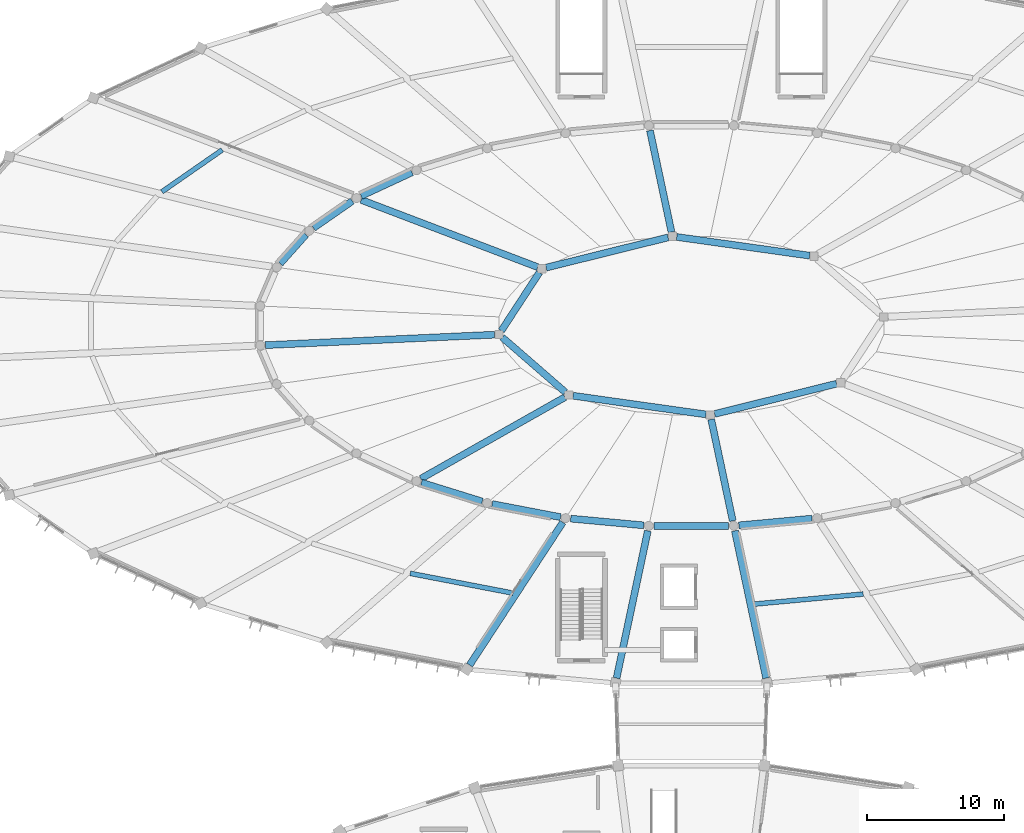
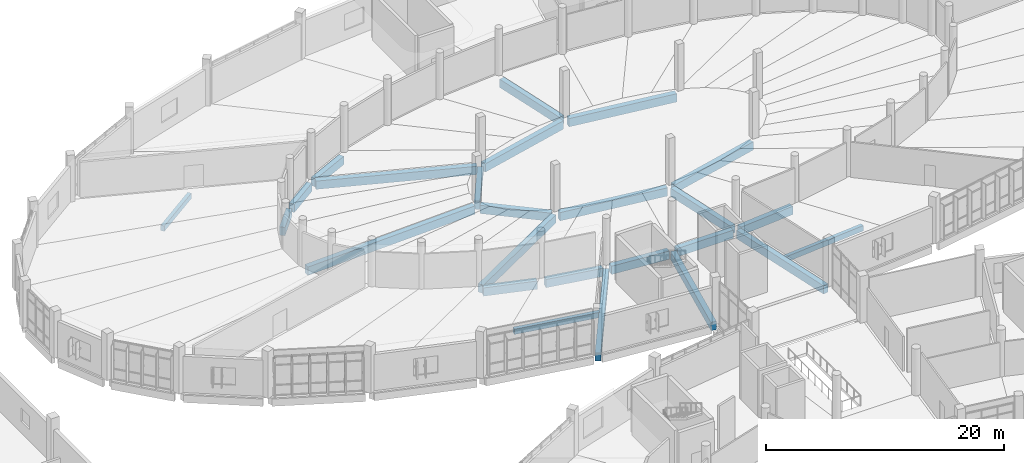
# One storey, part 35 of 179: 25 beams.
"""IFC4 building model written with IfcOpenShell, lengths in metres."""

from ifc_helpers import new_model, si_unit, direction, frame, origin, origin_2d, place, context, subcontext, project, spatial, rectangle, extrude, material, material_profile, profile_set, type_object, element, save


model = new_model("IFC4")

# Units and contexts
model_context = context("Model", 3, precision=1e-05, world=origin(), true_north=direction((0.0, 1.0)))
body_context = subcontext(model_context, "Body", "Model", "MODEL_VIEW")
ifc_project = project(units=[si_unit("LENGTHUNIT", "METRE"), si_unit("AREAUNIT", "SQUARE_METRE"), si_unit("VOLUMEUNIT", "CUBIC_METRE"), si_unit("PLANEANGLEUNIT", "RADIAN"), si_unit("MASSUNIT", "GRAM", prefix="KILO")], contexts=[model_context])

# Site, building, storey
site_placement = place(None, origin())
site = spatial("IfcSite", under=ifc_project, at=site_placement, CompositionType="ELEMENT")
building_placement = place(site_placement, origin())
building = spatial("IfcBuilding", under=site, at=building_placement, Name="Corvandel Quay Wholesale Market", CompositionType="ELEMENT")
storey_placement = place(building_placement, frame((0.0, 0.0, 6.0)))
storey = spatial("IfcBuildingStorey", under=building, at=storey_placement, Name="L01", CompositionType="ELEMENT", Elevation=6.0)

# Beams
ifc_material = material(Name="Precast concrete C45/55", Category="concrete")
ifc_material_profile_1 = material_profile(ifc_material, rectangle(XDim=0.5, YDim=0.85009765625, at=origin_2d()), Name="PC-GIR-500x850")
ifc_profile_set_1 = profile_set([ifc_material_profile_1], Name="Precast concrete C45/55")
beam_type_1 = type_object("IfcBeamType", Name="Fish Hall Radial Girder G04 500x850", PredefinedType="USERDEFINED", material=ifc_profile_set_1)
beam_1_placement = place(storey_placement, frame((122.607177734375, 121.093505859375, -0.68505859375), z_axis=(-0.990227088701, 0.139464378255, 0.0), x_axis=(-0.139464378255, -0.990227088701, 0.0)))
element("IfcBeam", 1, at=beam_1_placement, inside=storey, type_object=beam_type_1, Name="Beam BM-0494", ObjectType="GIRDER", PredefinedType="USERDEFINED", context=body_context, shape_type="SweptSolid", body=[
    extrude(rectangle(XDim=0.5, YDim=0.85009765625, at=origin_2d()), origin(), (0.0, 0.0, 1.0), 9.7646484375),
])
beam_2_placement = place(storey_placement, frame((112.310302734375, 122.4228515625, -0.68505859375), z_axis=(-0.970579114196, -0.240782439323, 0.0), x_axis=(0.240782439323, -0.970579114196, 0.0)))
element("IfcBeam", 2, at=beam_2_placement, inside=storey, type_object=beam_type_1, Name="Beam BM-0498", ObjectType="GIRDER", PredefinedType="USERDEFINED", context=body_context, shape_type="SweptSolid", body=[
    extrude(rectangle(XDim=0.5, YDim=0.85009765625, at=origin_2d()), origin(), (0.0, 0.0, 1.0), 9.143798828125),
])
beam_3_placement = place(storey_placement, frame((110.98779296875, 130.197998046875, -0.68505859375), z_axis=(0.207552034666, -0.978223978906, 0.0), x_axis=(0.978223978906, 0.207552034666, 0.0)))
element("IfcBeam", 3, at=beam_3_placement, inside=storey, type_object=beam_type_1, Name="Beam BM-0499", ObjectType="GIRDER", PredefinedType="USERDEFINED", context=body_context, shape_type="SweptSolid", body=[
    extrude(rectangle(XDim=0.5, YDim=0.85009765625, at=origin_2d()), origin(), (0.0, 0.0, 1.0), 7.54931640625),
])
beam_4_placement = place(storey_placement, frame((102.949951171875, 119.876220703125, -0.68505859375), z_axis=(-0.546859109744, -0.837224649715, 0.0), x_axis=(0.837224649715, -0.546859109744, 0.0)))
element("IfcBeam", 4, at=beam_4_placement, inside=storey, type_object=beam_type_1, Name="Beam BM-0502", ObjectType="GIRDER", PredefinedType="USERDEFINED", context=body_context, shape_type="SweptSolid", body=[
    extrude(rectangle(XDim=0.5, YDim=0.85009765625, at=origin_2d()), origin(), (0.0, 0.0, 1.0), 5.07421875),
])
beam_5_placement = place(storey_placement, frame((89.98681640625, 125.1494140625, -0.68505859375), z_axis=(0.934475348559, -0.356027840113, 0.0), x_axis=(0.356027840113, 0.934475348559, 0.0)))
element("IfcBeam", 5, at=beam_5_placement, inside=storey, type_object=beam_type_1, Name="Beam BM-0503", ObjectType="GIRDER", PredefinedType="USERDEFINED", context=body_context, shape_type="SweptSolid", body=[
    extrude(rectangle(XDim=0.5, YDim=0.85009765625, at=origin_2d()), origin(), (0.0, 0.0, 1.0), 13.7392578125),
])
beam_6_placement = place(storey_placement, frame((100.24169921875, 115.150146484375, -0.68505859375), z_axis=(0.754968281992, -0.655761308088, 0.0), x_axis=(0.655761308088, 0.754968281992, 0.0)))
element("IfcBeam", 6, at=beam_6_placement, inside=storey, type_object=beam_type_1, Name="Beam BM-0506", ObjectType="GIRDER", PredefinedType="USERDEFINED", context=body_context, shape_type="SweptSolid", body=[
    extrude(rectangle(XDim=0.5, YDim=0.85009765625, at=origin_2d()), origin(), (0.0, 0.0, 1.0), 6.08349609375),
])
beam_7_placement = place(storey_placement, frame((83.009521484375, 114.5830078125, -0.68505859375), z_axis=(0.998955771849, 0.045687699541, 0.0), x_axis=(-0.045687699541, 0.998955771849, 0.0)))
element("IfcBeam", 7, at=beam_7_placement, inside=storey, type_object=beam_type_1, Name="Beam BM-0507", ObjectType="GIRDER", PredefinedType="USERDEFINED", context=body_context, shape_type="SweptSolid", body=[
    extrude(rectangle(XDim=0.5, YDim=0.85009765625, at=origin_2d()), origin(), (0.0, 0.0, 1.0), 16.688232421875),
])
beam_8_placement = place(storey_placement, frame((105.392822265625, 110.906494140625, -0.68505859375), z_axis=(0.990227088701, -0.139464378255, 0.0), x_axis=(0.139464378255, 0.990227088701, 0.0)))
element("IfcBeam", 8, at=beam_8_placement, inside=storey, type_object=beam_type_1, Name="Beam BM-0510", ObjectType="GIRDER", PredefinedType="USERDEFINED", context=body_context, shape_type="SweptSolid", body=[
    extrude(rectangle(XDim=0.5, YDim=0.85009765625, at=origin_2d()), origin(), (0.0, 0.0, 1.0), 9.7646484375),
])
beam_9_placement = place(storey_placement, frame((94.3310546875, 104.873291015625, -0.68505859375), z_axis=(0.870410029758, 0.492327513041, 0.0), x_axis=(-0.492327513041, 0.870410029758, 0.0)))
element("IfcBeam", 9, at=beam_9_placement, inside=storey, type_object=beam_type_1, Name="Beam BM-0511", ObjectType="GIRDER", PredefinedType="USERDEFINED", context=body_context, shape_type="SweptSolid", body=[
    extrude(rectangle(XDim=0.5, YDim=0.85009765625, at=origin_2d()), origin(), (0.0, 0.0, 1.0), 12.02490234375),
])
beam_10_placement = place(storey_placement, frame((115.689697265625, 109.5771484375, -0.68505859375), z_axis=(0.970579114196, 0.240782439323, 0.0), x_axis=(-0.240782439323, 0.970579114196, 0.0)))
element("IfcBeam", 10, at=beam_10_placement, inside=storey, type_object=beam_type_1, Name="Beam BM-0514", ObjectType="GIRDER", PredefinedType="USERDEFINED", context=body_context, shape_type="SweptSolid", body=[
    extrude(rectangle(XDim=0.5, YDim=0.85009765625, at=origin_2d()), origin(), (0.0, 0.0, 1.0), 9.143798828125),
])
beam_11_placement = place(storey_placement, frame((117.01220703125, 101.802001953125, -0.68505859375), z_axis=(-0.207552034666, 0.978223978906, 0.0), x_axis=(-0.978223978906, -0.207552034666, 0.0)))
element("IfcBeam", 11, at=beam_11_placement, inside=storey, type_object=beam_type_1, Name="Beam BM-0515", ObjectType="GIRDER", PredefinedType="USERDEFINED", context=body_context, shape_type="SweptSolid", body=[
    extrude(rectangle(XDim=0.5, YDim=0.85009765625, at=origin_2d()), origin(), (0.0, 0.0, 1.0), 7.54931640625),
])
beam_12_placement = place(storey_placement, frame((93.67333984375, 127.1533203125, -0.705078125), z_axis=(-0.90699099093, -0.421150023592, 0.0), x_axis=(0.421150023592, -0.90699099093, 0.0)))
element("IfcBeam", 12, at=beam_12_placement, inside=storey, type_object=beam_type_1, Name="Beam BM-0598", ObjectType="GIRDER", PredefinedType="USERDEFINED", context=body_context, shape_type="SweptSolid", body=[
    extrude(rectangle(XDim=0.5, YDim=0.85009765625, at=origin_2d()), origin(), (0.0, 0.0, 1.0), 4.075927734375),
])
beam_13_placement = place(storey_placement, frame((89.337158203125, 125.06982421875, -0.705078125), z_axis=(-0.821314522828, -0.570475638911, 0.0), x_axis=(0.570475638911, -0.821314522828, 0.0)))
element("IfcBeam", 13, at=beam_13_placement, inside=storey, type_object=beam_type_1, Name="Beam BM-0605", ObjectType="GIRDER", PredefinedType="USERDEFINED", context=body_context, shape_type="SweptSolid", body=[
    extrude(rectangle(XDim=0.5, YDim=0.85009765625, at=origin_2d()), origin(), (0.0, 0.0, 1.0), 3.438720703125),
])
beam_14_placement = place(storey_placement, frame((85.962646484375, 122.620849609375, -0.705078125), z_axis=(-0.665705048761, -0.746214974423, 0.0), x_axis=(0.746214974423, -0.665705048761, 0.0)))
element("IfcBeam", 14, at=beam_14_placement, inside=storey, type_object=beam_type_1, Name="Beam BM-0612", ObjectType="GIRDER", PredefinedType="USERDEFINED", context=body_context, shape_type="SweptSolid", body=[
    extrude(rectangle(XDim=0.5, YDim=0.85009765625, at=origin_2d()), origin(), (0.0, 0.0, 1.0), 2.81103515625),
])
beam_15_placement = place(storey_placement, frame((94.3623046875, 104.581298828125, -0.705078125), z_axis=(0.955068247751, -0.296385968186, 0.0), x_axis=(0.296385968186, 0.955068247751, 0.0)))
element("IfcBeam", 15, at=beam_15_placement, inside=storey, type_object=beam_type_1, Name="Beam BM-0661", ObjectType="GIRDER", PredefinedType="USERDEFINED", context=body_context, shape_type="SweptSolid", body=[
    extrude(rectangle(XDim=0.5, YDim=0.85009765625, at=origin_2d()), origin(), (0.0, 0.0, 1.0), 4.6376953125),
])
beam_16_placement = place(storey_placement, frame((99.50830078125, 103.027099609375, -0.705078125), z_axis=(0.982030127444, -0.188724213582, 0.0), x_axis=(0.188724213582, 0.982030127444, 0.0)))
element("IfcBeam", 16, at=beam_16_placement, inside=storey, type_object=beam_type_1, Name="Beam BM-0668", ObjectType="GIRDER", PredefinedType="USERDEFINED", context=body_context, shape_type="SweptSolid", body=[
    extrude(rectangle(XDim=0.5, YDim=0.85009765625, at=origin_2d()), origin(), (0.0, 0.0, 1.0), 5.072265625),
])
beam_17_placement = place(storey_placement, frame((105.221435546875, 101.9658203125, -0.705078125), z_axis=(0.995757667562, -0.092014496099, 0.0), x_axis=(0.092014496099, 0.995757667562, 0.0)))
element("IfcBeam", 17, at=beam_17_placement, inside=storey, type_object=beam_type_1, Name="Beam BM-0678", ObjectType="GIRDER", PredefinedType="USERDEFINED", context=body_context, shape_type="SweptSolid", body=[
    extrude(rectangle(XDim=0.5, YDim=0.85009765625, at=origin_2d()), origin(), (0.0, 0.0, 1.0), 5.34375),
])
beam_18_placement = place(storey_placement, frame((97.867431640625, 91.30859375, -0.705078125), z_axis=(0.546980409846, 0.837145406273, 0.0), x_axis=(-0.837145406273, 0.546980409846, 0.0)))
element("IfcBeam", 18, at=beam_18_placement, inside=storey, type_object=beam_type_1, Name="Beam BM-0679", ObjectType="GIRDER", PredefinedType="USERDEFINED", context=body_context, shape_type="SweptSolid", body=[
    extrude(rectangle(XDim=0.5, YDim=0.85009765625, at=origin_2d()), origin(), (0.0, 0.0, 1.0), 12.401123046875),
])
beam_19_placement = place(storey_placement, frame((111.281005859375, 101.43994140625, -0.705078125), z_axis=(1.0, 0.0, 0.0), x_axis=(0.0, 1.0, 0.0)))
element("IfcBeam", 19, at=beam_19_placement, inside=storey, type_object=beam_type_1, Name="Beam BM-0687", ObjectType="GIRDER", PredefinedType="USERDEFINED", context=body_context, shape_type="SweptSolid", body=[
    extrude(rectangle(XDim=0.5, YDim=0.85009765625, at=origin_2d()), origin(), (0.0, 0.0, 1.0), 5.43798828125),
])
beam_20_placement = place(storey_placement, frame((108.560791015625, 90.36181640625, -0.705078125), z_axis=(0.207528766155, 0.97822891555, 0.0), x_axis=(-0.97822891555, 0.207528766155, 0.0)))
element("IfcBeam", 20, at=beam_20_placement, inside=storey, type_object=beam_type_1, Name="Beam BM-0688", ObjectType="GIRDER", PredefinedType="USERDEFINED", context=body_context, shape_type="SweptSolid", body=[
    extrude(rectangle(XDim=0.5, YDim=0.85009765625, at=origin_2d()), origin(), (0.0, 0.0, 1.0), 10.954833984375),
])
beam_21_placement = place(storey_placement, frame((117.45751953125, 101.47412109375, -0.705078125), z_axis=(0.995757667562, 0.092014496099, 0.0), x_axis=(-0.092014496099, 0.995757667562, 0.0)))
element("IfcBeam", 21, at=beam_21_placement, inside=storey, type_object=beam_type_1, Name="Beam BM-0696", ObjectType="GIRDER", PredefinedType="USERDEFINED", context=body_context, shape_type="SweptSolid", body=[
    extrude(rectangle(XDim=0.5, YDim=0.85009765625, at=origin_2d()), origin(), (0.0, 0.0, 1.0), 5.34375),
])
beam_22_placement = place(storey_placement, frame((119.439208984375, 90.36181640625, -0.705078125), z_axis=(-0.207528766155, 0.97822891555, 0.0), x_axis=(-0.97822891555, -0.207528766155, 0.0)))
element("IfcBeam", 22, at=beam_22_placement, inside=storey, type_object=beam_type_1, Name="Beam BM-0697", ObjectType="GIRDER", PredefinedType="USERDEFINED", context=body_context, shape_type="SweptSolid", body=[
    extrude(rectangle(XDim=0.5, YDim=0.85009765625, at=origin_2d()), origin(), (0.0, 0.0, 1.0), 10.954833984375),
])
ifc_material_profile_2 = material_profile(ifc_material, rectangle(XDim=0.35009765625, YDim=0.550048828125, at=origin_2d()), Name="PC-BM-350x550")
ifc_profile_set_2 = profile_set([ifc_material_profile_2], Name="Precast concrete C45/55")
beam_type_2 = type_object("IfcBeamType", Name="Standard Floor Secondary Beam B03 350x550", PredefinedType="BEAM", material=ifc_profile_set_2)
beam_23_placement = place(storey_placement, frame((79.87451171875, 128.79052734375, -0.554931640625), z_axis=(-0.821286078293, -0.570516588366, 0.0), x_axis=(0.570516588366, -0.821286078293, 0.0)))
element("IfcBeam", 23, at=beam_23_placement, inside=storey, type_object=beam_type_2, Name="Beam BM-0607", PredefinedType="BEAM", context=body_context, shape_type="SweptSolid", body=[
    extrude(rectangle(XDim=0.35009765625, YDim=0.550048828125, at=origin_2d()), origin(), (0.0, 0.0, 1.0), 5.341064453125),
])
beam_24_placement = place(storey_placement, frame((93.545166015625, 97.982666015625, -0.554931640625), z_axis=(0.982014678429, -0.188804585089, 0.0), x_axis=(0.188804585089, 0.982014678429, 0.0)))
element("IfcBeam", 24, at=beam_24_placement, inside=storey, type_object=beam_type_2, Name="Beam BM-0670", PredefinedType="BEAM", context=body_context, shape_type="SweptSolid", body=[
    extrude(rectangle(XDim=0.35009765625, YDim=0.550048828125, at=origin_2d()), origin(), (0.0, 0.0, 1.0), 7.614990234375),
])
beam_25_placement = place(storey_placement, frame((118.54150390625, 95.7421875, -0.554931640625), z_axis=(0.995763281104, 0.091953727517, 0.0), x_axis=(-0.091953727517, 0.995763281104, 0.0)))
element("IfcBeam", 25, at=beam_25_placement, inside=storey, type_object=beam_type_2, Name="Beam BM-0698", PredefinedType="BEAM", context=body_context, shape_type="SweptSolid", body=[
    extrude(rectangle(XDim=0.35009765625, YDim=0.550048828125, at=origin_2d()), origin(), (0.0, 0.0, 1.0), 7.994384765625),
])

save(model, "model.ifc")
